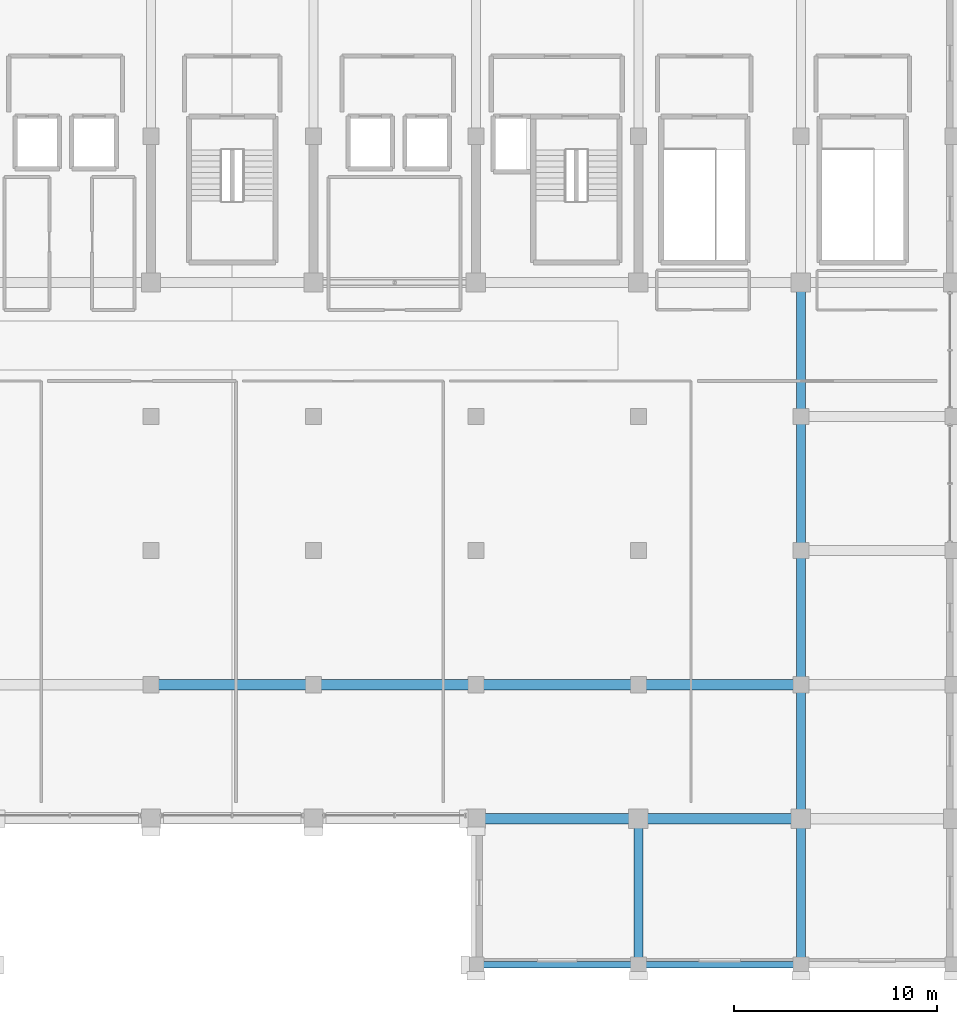
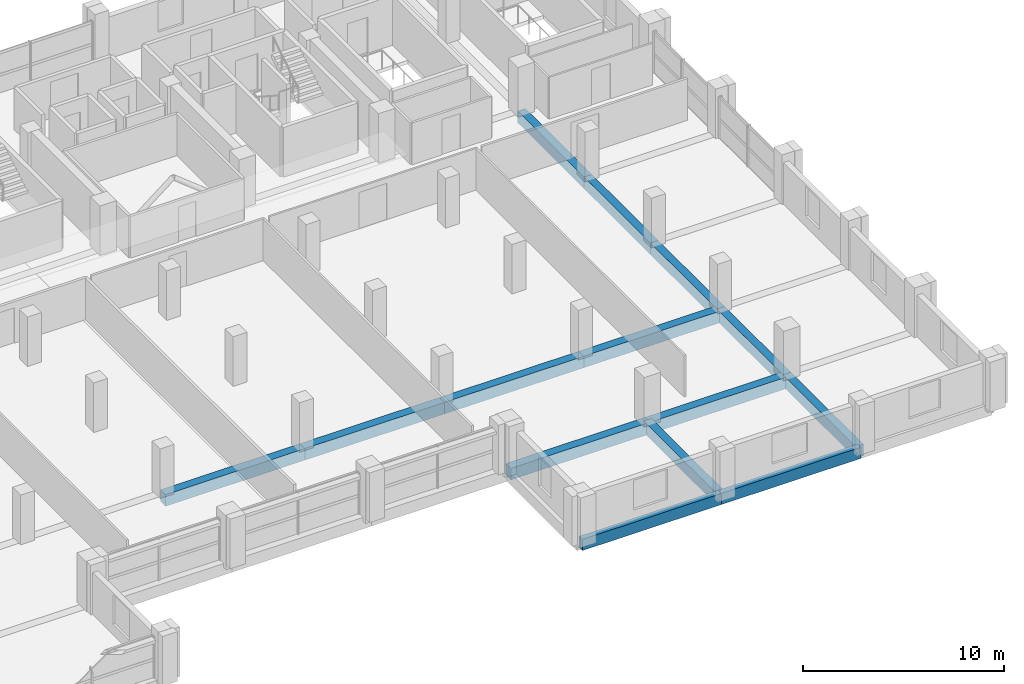
# One storey, part 7 of 21: 14 beams.
"""IFC4 building model written with IfcOpenShell, lengths in metres."""

from ifc_helpers import new_model, si_unit, direction, frame, origin, origin_2d, place, context, subcontext, project, spatial, rectangle, extrude, material, material_profile, profile_set, type_object, element, save


model = new_model("IFC4")

# Units and contexts
model_context = context("Model", 3, precision=1e-05, world=origin(), true_north=direction((0.0, 1.0)))
body_context = subcontext(model_context, "Body", "Model", "MODEL_VIEW")
ifc_project = project(units=[si_unit("LENGTHUNIT", "METRE"), si_unit("AREAUNIT", "SQUARE_METRE"), si_unit("VOLUMEUNIT", "CUBIC_METRE"), si_unit("PLANEANGLEUNIT", "RADIAN"), si_unit("MASSUNIT", "GRAM", prefix="KILO")], contexts=[model_context])

# Site, building, storey
site_placement = place(None, origin())
site = spatial("IfcSite", under=ifc_project, at=site_placement, CompositionType="ELEMENT")
building_placement = place(site_placement, origin())
building = spatial("IfcBuilding", under=site, at=building_placement, Name="Akrevak Sports Hall", CompositionType="ELEMENT")
storey_placement = place(building_placement, frame((0.0, 0.0, 37.300048828125)))
storey = spatial("IfcBuildingStorey", under=building, at=storey_placement, Name="L08", CompositionType="ELEMENT", Elevation=37.300048828125)

# Beams
ifc_material = material(Name="Concrete C40/50", Category="concrete")
ifc_material_profile_1 = material_profile(ifc_material, rectangle(XDim=0.449951171875, YDim=0.699951171875, at=origin_2d()), Name="BM 450x700", Category="concrete")
ifc_profile_set_1 = profile_set([ifc_material_profile_1], Name="Concrete C40/50")
beam_type_1 = type_object("IfcBeamType", Name="STR-BM-RC450x700", PredefinedType="BEAM", material=ifc_profile_set_1)
for number, where, z_axis, x_axis, name in (
    (1, (100.0, 21.60009765625, -0.35009765625), (0.0, 1.0, 0.0), (-1.0, 0.0, 0.0), "Girder 14/D-E (L08)"),
    (2, (108.0, 21.60009765625, -0.35009765625), (0.0, 1.0, 0.0), (-1.0, 0.0, 0.0), "Girder 15/D-E (L08)"),
):
    element("IfcBeam", number, at=place(storey_placement, frame(where, z_axis=z_axis, x_axis=x_axis)), inside=storey, type_object=beam_type_1, Name=name, PredefinedType="BEAM", context=body_context, shape_type="SweptSolid", body=[
        extrude(rectangle(XDim=0.449951171875, YDim=0.699951171875, at=origin_2d()), origin(), (0.0, 0.0, 1.0), 7.199951171875),
    ])
beam_1_placement = place(storey_placement, frame((108.0, 28.800048828125, -0.35009765625), z_axis=(0.0, 1.0, 0.0), x_axis=(-1.0, 0.0, 0.0)))
element("IfcBeam", 3, at=beam_1_placement, inside=storey, type_object=beam_type_1, Name="Girder 15/E-F (L08)", PredefinedType="BEAM", context=body_context, shape_type="SweptSolid", body=[
    extrude(rectangle(XDim=0.449951171875, YDim=0.699951171875, at=origin_2d()), origin(), (0.0, 0.0, 1.0), 6.599853515625),
])
for number, where, z_axis, x_axis, name in (
    (4, (108.0, 35.39990234375, -0.35009765625), (0.0, 1.0, 0.0), (-1.0, 0.0, 0.0), "Girder 15/F-G (L08)"),
    (5, (108.0, 42.0, -0.35009765625), (0.0, 1.0, 0.0), (-1.0, 0.0, 0.0), "Girder 15/G-H (L08)"),
):
    element("IfcBeam", number, at=place(storey_placement, frame(where, z_axis=z_axis, x_axis=x_axis)), inside=storey, type_object=beam_type_1, Name=name, PredefinedType="BEAM", context=body_context, shape_type="SweptSolid", body=[
        extrude(rectangle(XDim=0.449951171875, YDim=0.699951171875, at=origin_2d()), origin(), (0.0, 0.0, 1.0), 6.60009765625),
    ])
beam_2_placement = place(storey_placement, frame((108.0, 48.60009765625, -0.35009765625), z_axis=(0.0, 1.0, 0.0), x_axis=(-1.0, 0.0, 0.0)))
element("IfcBeam", 6, at=beam_2_placement, inside=storey, type_object=beam_type_1, Name="Girder 15/H-I (L08)", PredefinedType="BEAM", context=body_context, shape_type="SweptSolid", body=[
    extrude(rectangle(XDim=0.449951171875, YDim=0.699951171875, at=origin_2d()), origin(), (0.0, 0.0, 1.0), 6.599853515625),
])
ifc_material_profile_2 = material_profile(ifc_material, rectangle(XDim=0.5, YDim=0.699951171875, at=origin_2d()), Name="BM 500x700", Category="concrete")
ifc_profile_set_2 = profile_set([ifc_material_profile_2], Name="Concrete C40/50")
beam_type_2 = type_object("IfcBeamType", Name="STR-BM-RC500x700", PredefinedType="BEAM", material=ifc_profile_set_2)
for number, where, z_axis, x_axis, name in (
    (7, (92.0, 28.800048828125, -0.35009765625), (1.0, 0.0, 0.0), (0.0, 1.0, 0.0), "Girder E/13-14 (L08)"),
    (8, (100.0, 28.800048828125, -0.35009765625), (1.0, 0.0, 0.0), (0.0, 1.0, 0.0), "Girder E/14-15 (L08)"),
    (9, (76.0, 35.39990234375, -0.35009765625), (1.0, 0.0, 0.0), (0.0, 1.0, 0.0), "Girder F/11-12 (L08)"),
    (10, (84.0, 35.39990234375, -0.35009765625), (1.0, 0.0, 0.0), (0.0, 1.0, 0.0), "Girder F/12-13 (L08)"),
    (11, (92.0, 35.39990234375, -0.35009765625), (1.0, 0.0, 0.0), (0.0, 1.0, 0.0), "Girder F/13-14 (L08)"),
    (12, (100.0, 35.39990234375, -0.35009765625), (1.0, 0.0, 0.0), (0.0, 1.0, 0.0), "Girder F/14-15 (L08)"),
):
    element("IfcBeam", number, at=place(storey_placement, frame(where, z_axis=z_axis, x_axis=x_axis)), inside=storey, type_object=beam_type_2, Name=name, PredefinedType="BEAM", context=body_context, shape_type="SweptSolid", body=[
        extrude(rectangle(XDim=0.5, YDim=0.699951171875, at=origin_2d()), origin(), (0.0, 0.0, 1.0), 8.0),
    ])
ifc_material_profile_3 = material_profile(ifc_material, rectangle(XDim=0.320068359375, YDim=0.679931640625, at=origin_2d()), Name="SPD 320x680", Category="concrete")
ifc_profile_set_3 = profile_set([ifc_material_profile_3], Name="Concrete C40/50")
beam_type_3 = type_object("IfcBeamType", Name="STR-SPD-RC320x680", PredefinedType="SPANDREL", material=ifc_profile_set_3)
for number, where, z_axis, x_axis, name in (
    (13, (92.0, 21.60009765625, -0.340087890625), (1.0, 0.0, 0.0), (0.0, 1.0, 0.0), "Girder D/13-14 (L08)"),
    (14, (100.0, 21.60009765625, -0.340087890625), (1.0, 0.0, 0.0), (0.0, 1.0, 0.0), "Girder D/14-15 (L08)"),
):
    element("IfcBeam", number, at=place(storey_placement, frame(where, z_axis=z_axis, x_axis=x_axis)), inside=storey, type_object=beam_type_3, Name=name, PredefinedType="SPANDREL", context=body_context, shape_type="SweptSolid", body=[
        extrude(rectangle(XDim=0.320068359375, YDim=0.679931640625, at=origin_2d()), origin(), (0.0, 0.0, 1.0), 8.0),
    ])

save(model, "model.ifc")
